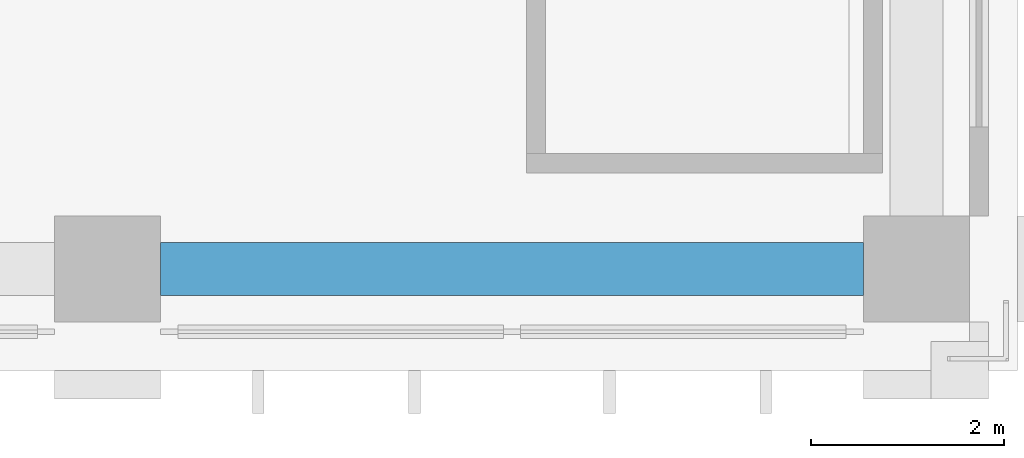
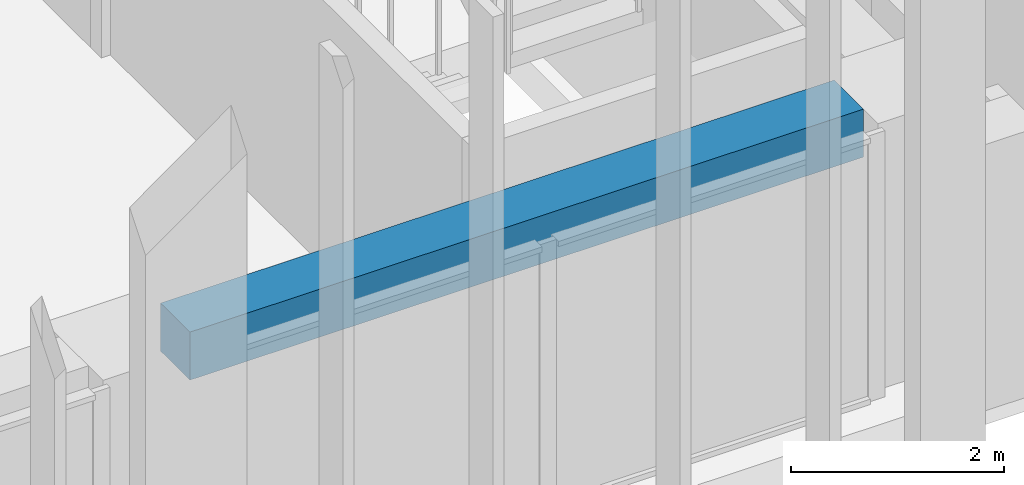
# One storey, part 3 of 16: 1 beam.
"""IFC4 building model written with IfcOpenShell, lengths in metres."""

from ifc_helpers import new_model, si_unit, direction, frame, origin, origin_2d, place, context, subcontext, project, spatial, rectangle, extrude, material, material_profile, profile_set, type_object, element, save


model = new_model("IFC4")

# Units and contexts
model_context = context("Model", 3, precision=1e-05, world=origin(), true_north=direction((0.0, 1.0)))
body_context = subcontext(model_context, "Body", "Model", "MODEL_VIEW")
ifc_project = project(units=[si_unit("LENGTHUNIT", "METRE"), si_unit("AREAUNIT", "SQUARE_METRE"), si_unit("VOLUMEUNIT", "CUBIC_METRE"), si_unit("PLANEANGLEUNIT", "RADIAN"), si_unit("MASSUNIT", "GRAM", prefix="KILO")], contexts=[model_context])

# Site, building, storey
site_placement = place(None, origin())
site = spatial("IfcSite", under=ifc_project, at=site_placement, CompositionType="ELEMENT")
building_placement = place(site_placement, origin())
building = spatial("IfcBuilding", under=site, at=building_placement, Name="Vermilion Ogive Tower", CompositionType="ELEMENT")
storey_placement = place(building_placement, frame((0.0, 0.0, 143.449951171875)))
storey = spatial("IfcBuildingStorey", under=building, at=storey_placement, Name="L36", CompositionType="ELEMENT", Elevation=143.449951171875)

# Beam
ifc_material = material(Name="Concrete B45", Category="concrete")
ifc_material_profile = material_profile(ifc_material, rectangle(XDim=0.550048828125, YDim=0.550048828125, at=origin_2d()), Name="550 x 550")
ifc_profile_set = profile_set([ifc_material_profile], Name="Concrete B45")
beam_type = type_object("IfcBeamType", Name="Edge beam 550 x 550 B45", PredefinedType="BEAM", material=ifc_profile_set)
beam_placement = place(storey_placement, frame((4.75, -21.0, 2.775146484375), z_axis=(1.0, 0.0, 0.0), x_axis=(0.0, 1.0, 0.0)))
element("IfcBeam", 1, at=beam_placement, inside=storey, type_object=beam_type, Name="L36-EB-3", PredefinedType="BEAM", context=body_context, shape_type="SweptSolid", body=[
    extrude(rectangle(XDim=0.550048828125, YDim=0.550048828125, at=origin_2d()), origin(), (0.0, 0.0, 1.0), 7.300048828125),
])

save(model, "model.ifc")
